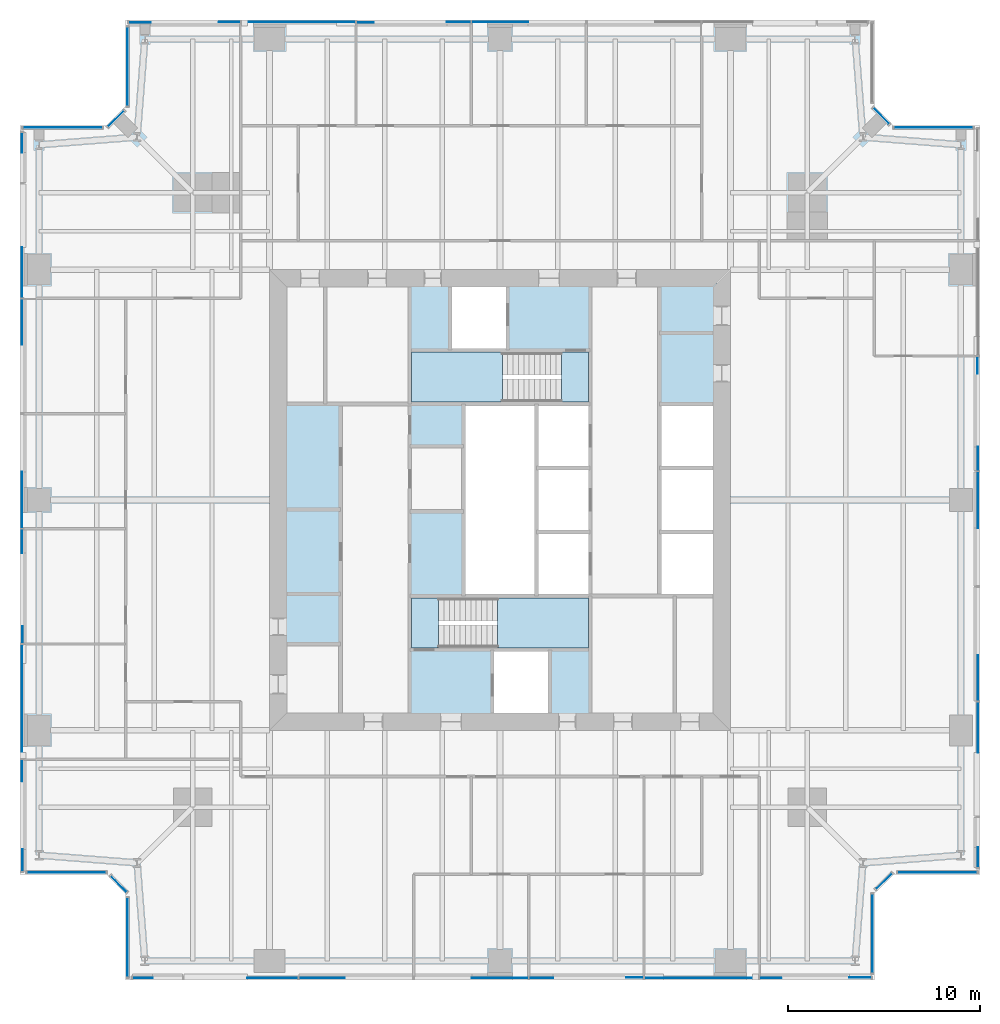
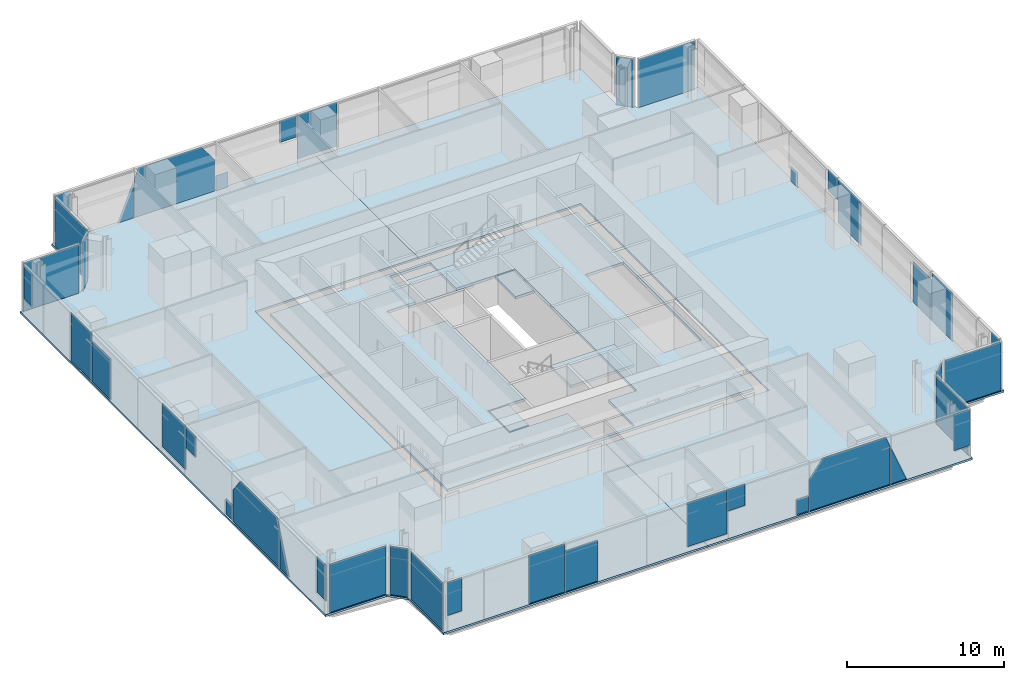
# One storey, part 8 of 14: 41 plates, 7 slabs, 17 elements without a shape of their own.
"""IFC4 building model written with IfcOpenShell, lengths in metres."""

import ifcopenshell
import ifcopenshell.guid

model = None  # the IFC model being written
_history = None  # IfcOwnerHistory: only IFC2X3 demands one
_inside = {}  # id of a spatial element -> (the spatial element, [elements in it])
_under = {}  # id of a project, library or spatial element -> (it, [spatial elements below it])
_declared = {}  # id of a project -> (the project, [libraries it declares])
_typed = {}  # id of a type object -> (the type object, [elements of that type])
_made_of = {}  # id of a material, layer set ... -> (it, [elements and type objects made of it])


def new_model(schema):
    """Start an empty IFC model of exactly this schema.

    Asked for "IFC4X3", IfcOpenShell would pick the latest addendum, in which some entities
    have other attributes; the version numbers below select the first issue.
    IFC2X3 requires an IfcOwnerHistory on every rooted entity: one is made here for all.
    """
    global model, _history
    if schema == "IFC4X3":
        model = ifcopenshell.file(schema_version=(4, 3, 0, 0))
    else:
        model = ifcopenshell.file(schema=schema)
    _inside.clear()
    _under.clear()
    _declared.clear()
    _typed.clear()
    _made_of.clear()
    _history = None
    if model.schema == "IFC2X3":
        org = make("IfcOrganization", Name="unknown")
        user = make(
            "IfcPersonAndOrganization",
            ThePerson=make("IfcPerson", FamilyName="unknown"),
            TheOrganization=org,
        )
        app = make(
            "IfcApplication",
            ApplicationDeveloper=org,
            Version="unknown",
            ApplicationFullName="unknown",
            ApplicationIdentifier="unknown",
        )
        _history = make(
            "IfcOwnerHistory",
            OwningUser=user,
            OwningApplication=app,
            ChangeAction="ADDED",
            CreationDate=0,
        )
    return model


def make(cls, **values):
    """One entity of the class cls with the attributes given. An attribute that is None is left unset."""
    return model.create_entity(
        cls, **{name: value for name, value in values.items() if value is not None}
    )


def rooted(cls, **values):
    """An entity with a GlobalId (a new one), such as an element, a storey or a relation."""
    return make(cls, GlobalId=ifcopenshell.guid.new(), OwnerHistory=_history, **values)


def si_unit(unit_type, name, prefix=None):
    """IfcSIUnit, for example si_unit("LENGTHUNIT", "METRE", prefix="MILLI")."""
    return make("IfcSIUnit", UnitType=unit_type, Prefix=prefix, Name=name)


def assignment(units):
    """IfcUnitAssignment: the units of a project."""
    return None if units is None else make("IfcUnitAssignment", Units=units)


def point(xyz):
    """IfcCartesianPoint."""
    return None if xyz is None else make("IfcCartesianPoint", Coordinates=xyz)


def direction(xyz):
    """IfcDirection."""
    return None if xyz is None else make("IfcDirection", DirectionRatios=xyz)


def frame(location, z_axis=None, x_axis=None):
    """IfcAxis2Placement3D, a coordinate frame: its origin and axes. An axis left out is left unset."""
    return make(
        "IfcAxis2Placement3D",
        Location=point(location),
        Axis=direction(z_axis),
        RefDirection=direction(x_axis),
    )


def frame_2d(location, x_axis=None):
    """IfcAxis2Placement2D, a coordinate frame in the plane: its origin and x axis."""
    return make(
        "IfcAxis2Placement2D", Location=point(location), RefDirection=direction(x_axis)
    )


def origin():
    """The frame at (0, 0, 0) with its axes left unset."""
    return frame((0.0, 0.0, 0.0))


def origin_2d():
    """The frame at (0, 0) in the plane with its x axis left unset."""
    return frame_2d((0.0, 0.0))


def place(relative_to, where):
    """IfcLocalPlacement: puts the frame where relative to a parent placement (None: the world)."""
    return make(
        "IfcLocalPlacement", PlacementRelTo=relative_to, RelativePlacement=where
    )


def context(
    kind, dimensions, precision=None, world=None, true_north=None, identifier=None
):
    """IfcGeometricRepresentationContext, for example the 3D "Model" context."""
    return make(
        "IfcGeometricRepresentationContext",
        ContextIdentifier=identifier,
        ContextType=kind,
        CoordinateSpaceDimension=dimensions,
        Precision=precision,
        WorldCoordinateSystem=world,
        TrueNorth=true_north,
    )


def subcontext(parent, identifier, kind, view, scale=None):
    """IfcGeometricRepresentationSubContext, for example "Body" below "Model"."""
    return make(
        "IfcGeometricRepresentationSubContext",
        ContextIdentifier=identifier,
        ContextType=kind,
        ParentContext=parent,
        TargetScale=scale,
        TargetView=view,
    )


def project(units=None, contexts=None):
    """IfcProject with its units and contexts."""
    return rooted(
        "IfcProject",
        Name="project",
        RepresentationContexts=contexts,
        UnitsInContext=assignment(units),
    )


def spatial(cls, under=None, at=None, **own):
    """A site, building, storey or space (cls), placed at a placement, below another one or the project."""
    s = rooted(cls, ObjectPlacement=at, **own)
    if under is not None:
        _under.setdefault(under.id(), (under, []))[1].append(s)
    return s


def polyline(points):
    """IfcPolyline through the points."""
    return make("IfcPolyline", Points=[point(p) for p in points])


def profile(cls, at=None, kind="AREA", **sizes):
    """A parametric profile (cls). Its sizes go by their IFC names, for example OverallWidth=200.0."""
    return make(cls, ProfileType=kind, Position=at, **sizes)


def rectangle(**sizes):
    """IfcRectangleProfileDef."""
    return profile("IfcRectangleProfileDef", **sizes)


def outline(outer, holes=None, kind="AREA"):
    """IfcArbitraryClosedProfileDef: a profile drawn as a closed curve; with holes, ...WithVoids."""
    if holes is None:
        return make("IfcArbitraryClosedProfileDef", ProfileType=kind, OuterCurve=outer)
    return make(
        "IfcArbitraryProfileDefWithVoids",
        ProfileType=kind,
        OuterCurve=outer,
        InnerCurves=holes,
    )


def extrude(swept, where, along, depth):
    """IfcExtrudedAreaSolid: the profile swept, set in the frame where, extruded along a direction by depth."""
    return make(
        "IfcExtrudedAreaSolid",
        SweptArea=swept,
        Position=where,
        ExtrudedDirection=direction(along),
        Depth=depth,
    )


def shape(context_of_items, identifier, shape_type, items):
    """IfcShapeRepresentation: the items that make up one representation, for example the "Body"."""
    return make(
        "IfcShapeRepresentation",
        ContextOfItems=context_of_items,
        RepresentationIdentifier=identifier,
        RepresentationType=shape_type,
        Items=items,
    )


def material(Name=None, Category=None):
    """IfcMaterial."""
    return make("IfcMaterial", Name=Name, Category=Category)


def layer(
    of_material, thickness, ventilated=None, Name=None, Category=None, Priority=None
):
    """IfcMaterialLayer: one layer of a wall or slab, of a material (None: an air gap)."""
    return make(
        "IfcMaterialLayer",
        Material=of_material,
        LayerThickness=thickness,
        IsVentilated=ventilated,
        Name=Name,
        Category=Category,
        Priority=Priority,
    )


def layer_set(layers, Name=None):
    """IfcMaterialLayerSet."""
    return make("IfcMaterialLayerSet", MaterialLayers=layers, LayerSetName=Name)


def made_of(thing, what):
    """Note that an element or type object is made of a material, layer set ...; save() writes the relation."""
    if what is not None:
        _made_of.setdefault(what.id(), (what, []))[1].append(thing)
    return thing


def type_object(cls, material=None, **own):
    """A type object (cls), such as IfcWallType, which elements share."""
    return made_of(rooted(cls, **own), material)


def element(
    cls,
    number,
    at=None,
    inside=None,
    cuts=None,
    type_object=None,
    material=None,
    context=None,
    identifier="Body",
    shape_type=None,
    held_by="IfcProductDefinitionShape",
    body=None,
    shapes=None,
    **own,
):
    """One element of the class cls, such as IfcWall. Its Tag is "e" and its number.

    at: its placement. inside: the storey or other place that contains it. cuts: it is an
    opening in that element (IfcRelVoidsElement). A single representation is given by context,
    identifier, shape_type and body (its items); several are given by shapes. held_by: the class
    of the entity that holds the representations. save() writes the other relations.
    """
    e = rooted(cls, Tag="e%d" % number, ObjectPlacement=at, **own)
    if body is not None:
        shapes = [shape(context, identifier, shape_type, body)]
    if shapes is not None:
        e.Representation = make(held_by, Representations=shapes)
    if inside is not None:
        _inside.setdefault(inside.id(), (inside, []))[1].append(e)
    if cuts is not None:
        rooted(
            "IfcRelVoidsElement", RelatingBuildingElement=cuts, RelatedOpeningElement=e
        )
    if type_object is not None:
        _typed.setdefault(type_object.id(), (type_object, []))[1].append(e)
    return made_of(e, material)


def aggregate(whole, parts):
    """IfcRelAggregates: a whole, such as a stair, and the parts it consists of."""
    return rooted("IfcRelAggregates", RelatingObject=whole, RelatedObjects=parts)


def save(model, path):
    """Write the relations noted so far, then the file.

    IfcRelAggregates (storeys below a building ...), IfcRelContainedInSpatialStructure (elements
    in a storey), IfcRelDefinesByType, IfcRelAssociatesMaterial and IfcRelDeclares: one each for
    every whole, place, type object, material and project.
    """
    for whole, parts in _under.values():
        aggregate(whole, parts)
    for where, things in _inside.values():
        rooted(
            "IfcRelContainedInSpatialStructure",
            RelatedElements=things,
            RelatingStructure=where,
        )
    for kind, things in _typed.values():
        rooted("IfcRelDefinesByType", RelatedObjects=things, RelatingType=kind)
    for what, things in _made_of.values():
        rooted("IfcRelAssociatesMaterial", RelatedObjects=things, RelatingMaterial=what)
    for by, libraries in _declared.values():
        rooted("IfcRelDeclares", RelatingContext=by, RelatedDefinitions=libraries)
    model.write(path)


model = new_model("IFC4")

# Units and contexts
model_context = context("Model", 3, precision=1e-05, world=origin(), true_north=direction((0.0, 1.0)))
body_context = subcontext(model_context, "Body", "Model", "MODEL_VIEW")
ifc_project = project(units=[si_unit("LENGTHUNIT", "METRE"), si_unit("AREAUNIT", "SQUARE_METRE"), si_unit("VOLUMEUNIT", "CUBIC_METRE"), si_unit("PLANEANGLEUNIT", "RADIAN"), si_unit("MASSUNIT", "GRAM", prefix="KILO")], contexts=[model_context])

# Site, building, storey
site_placement = place(None, origin())
site = spatial("IfcSite", under=ifc_project, at=site_placement, CompositionType="ELEMENT")
building_placement = place(site_placement, origin())
building = spatial("IfcBuilding", under=site, at=building_placement, Name="Fenwick Lantern Interchange", CompositionType="ELEMENT")
storey_placement = place(building_placement, frame((0.0, 0.0, 189.800048828125)))
storey = spatial("IfcBuildingStorey", under=building, at=storey_placement, Name="L44", CompositionType="ELEMENT", Elevation=189.800048828125)

# Slabs
ifc_material_1 = material(Name="Concrete f'c 35 MPa", Category="concrete")
ifc_layer_1 = layer(ifc_material_1, 0.199951171875)
ifc_layer_set_1 = layer_set([ifc_layer_1], Name="CORE FLOOR SLAB 200")
slab_type_1 = type_object("IfcSlabType", Name="CORE FLOOR SLAB 200", PredefinedType="FLOOR", material=ifc_layer_set_1)
slab_1_placement = place(storey_placement, frame((0.0, 0.0, -0.199951171875)))
element("IfcSlab", 1, at=slab_1_placement, inside=storey, type_object=slab_type_1, Name="L44/SLAB/CORE", PredefinedType="FLOOR", context=body_context, shape_type="SweptSolid", body=[
    extrude(outline(polyline([(13.699951171875, 36.300048828125), (36.300048828125, 36.300048828125), (36.300048828125, 13.699951171875), (13.699951171875, 13.699951171875), (13.699951171875, 36.300048828125)]), holes=[polyline([(24.60009765625, 13.89990234375), (27.60009765625, 13.89990234375), (27.60009765625, 17.199951171875), (29.699951171875, 17.199951171875), (29.699951171875, 20.0), (29.699951171875, 23.333251953125), (29.699951171875, 26.666748046875), (29.699951171875, 30.0), (29.699951171875, 32.800048828125), (25.39990234375, 32.800048828125), (25.39990234375, 36.10009765625), (22.39990234375, 36.10009765625), (22.39990234375, 32.800048828125), (20.300048828125, 32.800048828125), (20.300048828125, 30.0), (23.10009765625, 30.0), (23.10009765625, 20.0), (20.300048828125, 20.0), (20.300048828125, 17.199951171875), (24.60009765625, 17.199951171875), (24.60009765625, 13.89990234375)]), polyline([(33.300048828125, 23.333251953125), (33.300048828125, 20.0), (36.10009765625, 20.0), (36.10009765625, 23.333251953125), (36.10009765625, 26.666748046875), (36.10009765625, 30.0), (33.300048828125, 30.0), (33.300048828125, 26.666748046875), (33.300048828125, 23.333251953125)])]), origin(), (0.0, 0.0, 1.0), 0.199951171875),
])
ifc_material_2 = material(Name="Concrete f'c 35 MPa", Category="concrete")
ifc_layer_2 = layer(ifc_material_2, 0.14990234375)
ifc_layer_set_2 = layer_set([ifc_layer_2], Name="Concrete f'c 35 MPa")
slab_type_2 = type_object("IfcSlabType", Name="FLOOR SLAB 150", PredefinedType="FLOOR", material=ifc_layer_set_2)
slab_2_placement = place(storey_placement, frame((0.0, 0.0, -0.150146484375)))
element("IfcSlab", 2, at=slab_2_placement, inside=storey, type_object=slab_type_2, Name="L44/SLAB/FW", PredefinedType="FLOOR", context=body_context, shape_type="SweptSolid", body=[
    extrude(outline(polyline([(5.5, 0.0), (5.5, 4.5), (4.5, 5.5), (0.0, 5.5), (0.0, 44.5), (4.5, 44.5), (5.5, 45.5), (5.5, 50.0), (25.0, 50.0), (25.0, 37.0), (13.0, 37.0), (13.0, 13.0), (25.0, 13.0), (25.0, 0.0), (5.5, 0.0)])), origin(), (0.0, 0.0, 1.0), 0.150146484375),
])
slab_3_placement = place(storey_placement, frame((0.0, 0.0, -0.150146484375)))
element("IfcSlab", 3, at=slab_3_placement, inside=storey, type_object=slab_type_2, Name="L44/SLAB/FE", PredefinedType="FLOOR", context=body_context, shape_type="SweptSolid", body=[
    extrude(outline(polyline([(44.5, 50.0), (44.5, 45.5), (45.5, 44.5), (50.0, 44.5), (50.0, 5.5), (45.5, 5.5), (44.5, 4.5), (44.5, 0.0), (25.0, 0.0), (25.0, 13.0), (37.0, 13.0), (37.0, 37.0), (25.0, 37.0), (25.0, 50.0), (44.5, 50.0)])), origin(), (0.0, 0.0, 1.0), 0.150146484375),
])

# Curtain wall, plates
ifc_material_3 = material(Name="Aluminium curtain wall frame", Category="aluminium")
curtain_wall_type = type_object("IfcCurtainWallType", Name="OFFICE CURTAIN WALL", PredefinedType="USERDEFINED", material=ifc_material_3)
curtain_wall_1_placement = place(storey_placement, origin())
curtain_wall_1 = element("IfcCurtainWall", 4, at=curtain_wall_1_placement, inside=storey, type_object=curtain_wall_type, Name="Office curtain wall 01", ObjectType="OFFICE CURTAIN WALL", PredefinedType="USERDEFINED")
ifc_material_4 = material(Name="Vision glass, clear low-iron double glazed", Category="glass")
ifc_layer_3 = layer(ifc_material_4, 0.031982421875)
ifc_layer_set_3 = layer_set([ifc_layer_3], Name="OFFICE CURTAIN WALL PANEL 32")
plate_type = type_object("IfcPlateType", Name="OFFICE CURTAIN WALL PANEL 32", PredefinedType="CURTAIN_PANEL", material=ifc_layer_set_3)
plate_1_placement = place(storey_placement, frame((5.60009765625, 0.10009765625, 1.185546875), z_axis=(0.0, 0.0, 1.0), x_axis=(1.0, 0.0, 0.0)))
plate_1 = element("IfcPlate", 5, at=plate_1_placement, type_object=plate_type, Name="L44/CW/01/P00a", PredefinedType="CURTAIN_PANEL", context=body_context, shape_type="SweptSolid", body=[
    extrude(outline(polyline([(0.264892578125, 0.0), (1.31005859375, 0.0), (1.31005859375, 2.564453125), (0.264892578125, 2.564453125), (0.264892578125, 0.0)])), frame((0.0, 0.01611328125, 0.0), z_axis=(0.0, -1.0, 0.0), x_axis=(1.0, 0.0, 0.0)), (0.0, 0.0, 1.0), 0.031982421875),
])
plate_2_placement = place(storey_placement, frame((5.60009765625, 0.10009765625, 0.0), z_axis=(0.0, 0.0, 1.0), x_axis=(1.0, 0.0, 0.0)))
plate_2 = element("IfcPlate", 6, at=plate_2_placement, type_object=plate_type, Name="L44/CW/01/P01a", PredefinedType="CURTAIN_PANEL", context=body_context, shape_type="SweptSolid", body=[
    extrude(outline(polyline([(6.239013671875, 0.0), (8.867431640625, 0.0), (8.867431640625, 3.75), (6.239013671875, 3.75), (6.239013671875, 0.0)])), frame((0.0, 0.01611328125, 0.0), z_axis=(0.0, -1.0, 0.0), x_axis=(1.0, 0.0, 0.0)), (0.0, 0.0, 1.0), 0.031982421875),
])
plate_3_placement = place(storey_placement, frame((5.60009765625, 0.10009765625, 0.0), z_axis=(0.0, 0.0, 1.0), x_axis=(1.0, 0.0, 0.0)))
plate_3 = element("IfcPlate", 7, at=plate_3_placement, type_object=plate_type, Name="L44/CW/01/P02a", PredefinedType="CURTAIN_PANEL", context=body_context, shape_type="SweptSolid", body=[
    extrude(outline(polyline([(8.9326171875, 0.0), (11.3125, 0.0), (11.3125, 3.17724609375), (8.9326171875, 3.17724609375), (8.9326171875, 0.0)])), frame((0.0, 0.01611328125, 0.0), z_axis=(0.0, -1.0, 0.0), x_axis=(1.0, 0.0, 0.0)), (0.0, 0.0, 1.0), 0.031982421875),
])
plate_4_placement = place(storey_placement, frame((5.60009765625, 0.10009765625, 0.3505859375), z_axis=(0.0, 0.0, 1.0), x_axis=(1.0, 0.0, 0.0)))
plate_4 = element("IfcPlate", 8, at=plate_4_placement, type_object=plate_type, Name="L44/CW/01/P03a", PredefinedType="CURTAIN_PANEL", context=body_context, shape_type="SweptSolid", body=[
    extrude(outline(polyline([(17.93310546875, 0.0), (20.867431640625, 0.0), (20.867431640625, 3.3994140625), (17.93310546875, 3.3994140625), (17.93310546875, 0.0)])), frame((0.0, 0.01611328125, 0.0), z_axis=(0.0, -1.0, 0.0), x_axis=(1.0, 0.0, 0.0)), (0.0, 0.0, 1.0), 0.031982421875),
])
plate_5_placement = place(storey_placement, frame((5.60009765625, 0.10009765625, 2.090576171875), z_axis=(0.0, 0.0, 1.0), x_axis=(1.0, 0.0, 0.0)))
plate_5 = element("IfcPlate", 9, at=plate_5_placement, type_object=plate_type, Name="L44/CW/01/P04a", PredefinedType="CURTAIN_PANEL", context=body_context, shape_type="SweptSolid", body=[
    extrude(outline(polyline([(20.9326171875, 0.0), (22.172607421875, 0.0), (22.172607421875, 1.659423828125), (20.9326171875, 1.659423828125), (20.9326171875, 0.0)])), frame((0.0, 0.01611328125, 0.0), z_axis=(0.0, -1.0, 0.0), x_axis=(1.0, 0.0, 0.0)), (0.0, 0.0, 1.0), 0.031982421875),
])
plate_6_placement = place(storey_placement, frame((5.60009765625, 0.10009765625, 0.0), z_axis=(0.0, 0.0, 1.0), x_axis=(1.0, 0.0, 0.0)))
plate_6 = element("IfcPlate", 10, at=plate_6_placement, type_object=plate_type, Name="L44/CW/01/P04b", PredefinedType="CURTAIN_PANEL", context=body_context, shape_type="SweptSolid", body=[
    extrude(outline(polyline([(25.984619140625, 0.0), (26.867431640625, 0.0), (26.867431640625, 1.17333984375), (25.984619140625, 1.17333984375), (25.984619140625, 0.0)])), frame((0.0, 0.0498046875, 0.0), z_axis=(0.0, -1.0, 0.0), x_axis=(1.0, 0.0, 0.0)), (0.0, 0.0, 1.0), 0.031982421875),
])
plate_7_placement = place(storey_placement, frame((5.60009765625, 0.10009765625, 0.0), z_axis=(0.0, 0.0, 1.0), x_axis=(1.0, 0.0, 0.0)))
plate_7 = element("IfcPlate", 11, at=plate_7_placement, type_object=plate_type, Name="L44/CW/01/P05a", PredefinedType="CURTAIN_PANEL", context=body_context, shape_type="SweptSolid", body=[
    extrude(outline(polyline([(26.9326171875, 0.0), (32.867431640625, 0.0), (32.867431640625, 2.999267578125), (32.5625, 3.75), (27.9169921875, 3.75), (26.9326171875, 2.437255859375), (26.9326171875, 0.0)])), frame((0.0, 0.01611328125, 0.0), z_axis=(0.0, -1.0, 0.0), x_axis=(1.0, 0.0, 0.0)), (0.0, 0.0, 1.0), 0.031982421875),
])
plate_8_placement = place(storey_placement, frame((5.60009765625, 0.10009765625, 0.0), z_axis=(0.0, 0.0, 1.0), x_axis=(1.0, 0.0, 0.0)))
plate_8 = element("IfcPlate", 12, at=plate_8_placement, type_object=plate_type, Name="L44/CW/01/P06a", PredefinedType="CURTAIN_PANEL", context=body_context, shape_type="SweptSolid", body=[
    extrude(outline(polyline([(32.9326171875, 0.0), (34.0859375, 0.0), (32.9326171875, 2.839111328125), (32.9326171875, 0.0)])), frame((0.0, 0.01611328125, 0.0), z_axis=(0.0, -1.0, 0.0), x_axis=(1.0, 0.0, 0.0)), (0.0, 0.0, 1.0), 0.031982421875),
])
plate_9_placement = place(storey_placement, frame((5.60009765625, 0.10009765625, 0.931396484375), z_axis=(0.0, 0.0, 1.0), x_axis=(1.0, 0.0, 0.0)))
plate_9 = element("IfcPlate", 13, at=plate_9_placement, type_object=plate_type, Name="L44/CW/01/P06b", PredefinedType="CURTAIN_PANEL", context=body_context, shape_type="SweptSolid", body=[
    extrude(outline(polyline([(37.59326171875, 0.0), (38.735107421875, 0.0), (38.735107421875, 2.818603515625), (37.59326171875, 2.818603515625), (37.59326171875, 0.0)])), frame((0.0, 0.0498046875, 0.0), z_axis=(0.0, -1.0, 0.0), x_axis=(1.0, 0.0, 0.0)), (0.0, 0.0, 1.0), 0.031982421875),
])
aggregate(curtain_wall_1, [plate_1, plate_2, plate_3, plate_4, plate_5, plate_6, plate_7, plate_8, plate_9])

# Curtain wall, plate
curtain_wall_2_placement = place(storey_placement, origin())
curtain_wall_2 = element("IfcCurtainWall", 14, at=curtain_wall_2_placement, inside=storey, type_object=curtain_wall_type, Name="Office curtain wall 02", ObjectType="OFFICE CURTAIN WALL", PredefinedType="USERDEFINED")
plate_10_placement = place(storey_placement, frame((44.39990234375, 2.420654296875, 0.0), z_axis=(0.0, 0.0, 1.0), x_axis=(0.0, 1.0, 0.0)))
plate_10 = element("IfcPlate", 15, at=plate_10_placement, type_object=plate_type, Name="L44/CW/02/P00", PredefinedType="CURTAIN_PANEL", context=body_context, shape_type="SweptSolid", body=[
    extrude(rectangle(XDim=4.111328125, YDim=0.031982421875, at=origin_2d()), origin(), (0.0, 0.0, 1.0), 3.75),
])
aggregate(curtain_wall_2, [plate_10])

curtain_wall_3_placement = place(storey_placement, origin())
curtain_wall_3 = element("IfcCurtainWall", 16, at=curtain_wall_3_placement, inside=storey, type_object=curtain_wall_type, Name="Office curtain wall 03", ObjectType="OFFICE CURTAIN WALL", PredefinedType="USERDEFINED")
plate_11_placement = place(storey_placement, frame((45.0, 5.141357421875, 0.0), z_axis=(0.0, 0.0, 1.0), x_axis=(0.707106781187, 0.707106781187, 0.0)))
plate_11 = element("IfcPlate", 17, at=plate_11_placement, type_object=plate_type, Name="L44/CW/03/P00", PredefinedType="CURTAIN_PANEL", context=body_context, shape_type="SweptSolid", body=[
    extrude(rectangle(XDim=1.1669921875, YDim=0.031982421875, at=origin_2d()), origin(), (0.0, 0.0, 1.0), 3.75),
])
aggregate(curtain_wall_3, [plate_11])

curtain_wall_4_placement = place(storey_placement, origin())
curtain_wall_4 = element("IfcCurtainWall", 18, at=curtain_wall_4_placement, inside=storey, type_object=curtain_wall_type, Name="Office curtain wall 04", ObjectType="OFFICE CURTAIN WALL", PredefinedType="USERDEFINED")
plate_12_placement = place(storey_placement, frame((47.779296875, 5.60009765625, 0.0), z_axis=(0.0, 0.0, 1.0), x_axis=(1.0, 0.0, 0.0)))
plate_12 = element("IfcPlate", 19, at=plate_12_placement, type_object=plate_type, Name="L44/CW/04/P00", PredefinedType="CURTAIN_PANEL", context=body_context, shape_type="SweptSolid", body=[
    extrude(rectangle(XDim=4.111328125, YDim=0.031982421875, at=origin_2d()), origin(), (0.0, 0.0, 1.0), 3.75),
])
aggregate(curtain_wall_4, [plate_12])

# Curtain wall, plates
curtain_wall_5_placement = place(storey_placement, origin())
curtain_wall_5 = element("IfcCurtainWall", 20, at=curtain_wall_5_placement, inside=storey, type_object=curtain_wall_type, Name="Office curtain wall 05", ObjectType="OFFICE CURTAIN WALL", PredefinedType="USERDEFINED")
plate_13_placement = place(storey_placement, frame((49.89990234375, 5.60009765625, 1.185546875), z_axis=(0.0, 0.0, 1.0), x_axis=(0.0, 1.0, 0.0)))
plate_13 = element("IfcPlate", 21, at=plate_13_placement, type_object=plate_type, Name="L44/CW/05/P00a", PredefinedType="CURTAIN_PANEL", context=body_context, shape_type="SweptSolid", body=[
    extrude(outline(polyline([(0.264892578125, 0.0), (1.31005859375, 0.0), (1.31005859375, 2.564453125), (0.264892578125, 2.564453125), (0.264892578125, 0.0)])), frame((0.0, 0.01611328125, 0.0), z_axis=(0.0, -1.0, 0.0), x_axis=(1.0, 0.0, 0.0)), (0.0, 0.0, 1.0), 0.031982421875),
])
plate_14_placement = place(storey_placement, frame((49.89990234375, 5.60009765625, 0.0), z_axis=(0.0, 0.0, 1.0), x_axis=(0.0, 1.0, 0.0)))
plate_14 = element("IfcPlate", 22, at=plate_14_placement, type_object=plate_type, Name="L44/CW/05/P01a", PredefinedType="CURTAIN_PANEL", context=body_context, shape_type="SweptSolid", body=[
    extrude(outline(polyline([(6.239013671875, 0.0), (8.867431640625, 0.0), (8.867431640625, 3.75), (6.239013671875, 3.75), (6.239013671875, 0.0)])), frame((0.0, 0.01611328125, 0.0), z_axis=(0.0, -1.0, 0.0), x_axis=(1.0, 0.0, 0.0)), (0.0, 0.0, 1.0), 0.031982421875),
])
plate_15_placement = place(storey_placement, frame((49.89990234375, 5.60009765625, 0.0), z_axis=(0.0, 0.0, 1.0), x_axis=(0.0, 1.0, 0.0)))
plate_15 = element("IfcPlate", 23, at=plate_15_placement, type_object=plate_type, Name="L44/CW/05/P02a", PredefinedType="CURTAIN_PANEL", context=body_context, shape_type="SweptSolid", body=[
    extrude(outline(polyline([(8.9326171875, 0.0), (11.3125, 0.0), (11.3125, 3.17724609375), (8.9326171875, 3.17724609375), (8.9326171875, 0.0)])), frame((0.0, 0.01611328125, 0.0), z_axis=(0.0, -1.0, 0.0), x_axis=(1.0, 0.0, 0.0)), (0.0, 0.0, 1.0), 0.031982421875),
])
plate_16_placement = place(storey_placement, frame((49.89990234375, 5.60009765625, 0.3505859375), z_axis=(0.0, 0.0, 1.0), x_axis=(0.0, 1.0, 0.0)))
plate_16 = element("IfcPlate", 24, at=plate_16_placement, type_object=plate_type, Name="L44/CW/05/P03a", PredefinedType="CURTAIN_PANEL", context=body_context, shape_type="SweptSolid", body=[
    extrude(outline(polyline([(17.93310546875, 0.0), (20.867431640625, 0.0), (20.867431640625, 3.3994140625), (17.93310546875, 3.3994140625), (17.93310546875, 0.0)])), frame((0.0, 0.01611328125, 0.0), z_axis=(0.0, -1.0, 0.0), x_axis=(1.0, 0.0, 0.0)), (0.0, 0.0, 1.0), 0.031982421875),
])
plate_17_placement = place(storey_placement, frame((49.89990234375, 5.60009765625, 2.090576171875), z_axis=(0.0, 0.0, 1.0), x_axis=(0.0, 1.0, 0.0)))
plate_17 = element("IfcPlate", 25, at=plate_17_placement, type_object=plate_type, Name="L44/CW/05/P04a", PredefinedType="CURTAIN_PANEL", context=body_context, shape_type="SweptSolid", body=[
    extrude(outline(polyline([(20.9326171875, 0.0), (22.172607421875, 0.0), (22.172607421875, 1.659423828125), (20.9326171875, 1.659423828125), (20.9326171875, 0.0)])), frame((0.0, 0.01611328125, 0.0), z_axis=(0.0, -1.0, 0.0), x_axis=(1.0, 0.0, 0.0)), (0.0, 0.0, 1.0), 0.031982421875),
])
plate_18_placement = place(storey_placement, frame((49.89990234375, 5.60009765625, 0.0), z_axis=(0.0, 0.0, 1.0), x_axis=(0.0, 1.0, 0.0)))
plate_18 = element("IfcPlate", 26, at=plate_18_placement, type_object=plate_type, Name="L44/CW/05/P04b", PredefinedType="CURTAIN_PANEL", context=body_context, shape_type="SweptSolid", body=[
    extrude(outline(polyline([(25.984619140625, 0.0), (26.867431640625, 0.0), (26.867431640625, 1.17333984375), (25.984619140625, 1.17333984375), (25.984619140625, 0.0)])), frame((0.0, 0.0498046875, 0.0), z_axis=(0.0, -1.0, 0.0), x_axis=(1.0, 0.0, 0.0)), (0.0, 0.0, 1.0), 0.031982421875),
])
aggregate(curtain_wall_5, [plate_13, plate_14, plate_15, plate_16, plate_17, plate_18])

# Curtain wall, plate
curtain_wall_6_placement = place(storey_placement, origin())
curtain_wall_6 = element("IfcCurtainWall", 27, at=curtain_wall_6_placement, inside=storey, type_object=curtain_wall_type, Name="Office curtain wall 06", ObjectType="OFFICE CURTAIN WALL", PredefinedType="USERDEFINED")
plate_19_placement = place(storey_placement, frame((47.579345703125, 44.39990234375, 0.0), z_axis=(0.0, 0.0, 1.0), x_axis=(-1.0, 0.0, 0.0)))
plate_19 = element("IfcPlate", 28, at=plate_19_placement, type_object=plate_type, Name="L44/CW/06/P00", PredefinedType="CURTAIN_PANEL", context=body_context, shape_type="SweptSolid", body=[
    extrude(rectangle(XDim=4.111328125, YDim=0.031982421875, at=origin_2d()), origin(), (0.0, 0.0, 1.0), 3.75),
])
aggregate(curtain_wall_6, [plate_19])

curtain_wall_7_placement = place(storey_placement, origin())
curtain_wall_7 = element("IfcCurtainWall", 29, at=curtain_wall_7_placement, inside=storey, type_object=curtain_wall_type, Name="Office curtain wall 07", ObjectType="OFFICE CURTAIN WALL", PredefinedType="USERDEFINED")
plate_20_placement = place(storey_placement, frame((44.858642578125, 45.0, 0.0), z_axis=(0.0, 0.0, 1.0), x_axis=(-0.707106781187, 0.707106781187, 0.0)))
plate_20 = element("IfcPlate", 30, at=plate_20_placement, type_object=plate_type, Name="L44/CW/07/P00", PredefinedType="CURTAIN_PANEL", context=body_context, shape_type="SweptSolid", body=[
    extrude(rectangle(XDim=1.1669921875, YDim=0.031982421875, at=origin_2d()), origin(), (0.0, 0.0, 1.0), 3.75),
])
aggregate(curtain_wall_7, [plate_20])

# Curtain wall, plates
curtain_wall_8_placement = place(storey_placement, origin())
curtain_wall_8 = element("IfcCurtainWall", 31, at=curtain_wall_8_placement, inside=storey, type_object=curtain_wall_type, Name="Office curtain wall 09", ObjectType="OFFICE CURTAIN WALL", PredefinedType="USERDEFINED")
plate_21_placement = place(storey_placement, frame((44.39990234375, 49.89990234375, 0.3505859375), z_axis=(0.0, 0.0, 1.0), x_axis=(-1.0, 0.0, 0.0)))
plate_21 = element("IfcPlate", 32, at=plate_21_placement, type_object=plate_type, Name="L44/CW/09/P03a", PredefinedType="CURTAIN_PANEL", context=body_context, shape_type="SweptSolid", body=[
    extrude(outline(polyline([(17.93310546875, 0.0), (20.867431640625, 0.0), (20.867431640625, 3.3994140625), (17.93310546875, 3.3994140625), (17.93310546875, 0.0)])), frame((0.0, 0.01611328125, 0.0), z_axis=(0.0, -1.0, 0.0), x_axis=(1.0, 0.0, 0.0)), (0.0, 0.0, 1.0), 0.031982421875),
])
plate_22_placement = place(storey_placement, frame((44.39990234375, 49.89990234375, 2.090576171875), z_axis=(0.0, 0.0, 1.0), x_axis=(-1.0, 0.0, 0.0)))
plate_22 = element("IfcPlate", 33, at=plate_22_placement, type_object=plate_type, Name="L44/CW/09/P04a", PredefinedType="CURTAIN_PANEL", context=body_context, shape_type="SweptSolid", body=[
    extrude(outline(polyline([(20.9326171875, 0.0), (22.172607421875, 0.0), (22.172607421875, 1.659423828125), (20.9326171875, 1.659423828125), (20.9326171875, 0.0)])), frame((0.0, 0.01611328125, 0.0), z_axis=(0.0, -1.0, 0.0), x_axis=(1.0, 0.0, 0.0)), (0.0, 0.0, 1.0), 0.031982421875),
])
plate_23_placement = place(storey_placement, frame((44.39990234375, 49.89990234375, 0.0), z_axis=(0.0, 0.0, 1.0), x_axis=(-1.0, 0.0, 0.0)))
plate_23 = element("IfcPlate", 34, at=plate_23_placement, type_object=plate_type, Name="L44/CW/09/P04b", PredefinedType="CURTAIN_PANEL", context=body_context, shape_type="SweptSolid", body=[
    extrude(outline(polyline([(25.984619140625, 0.0), (26.867431640625, 0.0), (26.867431640625, 1.17333984375), (25.984619140625, 1.17333984375), (25.984619140625, 0.0)])), frame((0.0, 0.0498046875, 0.0), z_axis=(0.0, -1.0, 0.0), x_axis=(1.0, 0.0, 0.0)), (0.0, 0.0, 1.0), 0.031982421875),
])
plate_24_placement = place(storey_placement, frame((44.39990234375, 49.89990234375, 0.0), z_axis=(0.0, 0.0, 1.0), x_axis=(-1.0, 0.0, 0.0)))
plate_24 = element("IfcPlate", 35, at=plate_24_placement, type_object=plate_type, Name="L44/CW/09/P05a", PredefinedType="CURTAIN_PANEL", context=body_context, shape_type="SweptSolid", body=[
    extrude(outline(polyline([(26.9326171875, 0.0), (32.867431640625, 0.0), (32.867431640625, 2.999267578125), (32.5625, 3.75), (27.9169921875, 3.75), (26.9326171875, 2.437255859375), (26.9326171875, 0.0)])), frame((0.0, 0.01611328125, 0.0), z_axis=(0.0, -1.0, 0.0), x_axis=(1.0, 0.0, 0.0)), (0.0, 0.0, 1.0), 0.031982421875),
])
plate_25_placement = place(storey_placement, frame((44.39990234375, 49.89990234375, 0.0), z_axis=(0.0, 0.0, 1.0), x_axis=(-1.0, 0.0, 0.0)))
plate_25 = element("IfcPlate", 36, at=plate_25_placement, type_object=plate_type, Name="L44/CW/09/P06a", PredefinedType="CURTAIN_PANEL", context=body_context, shape_type="SweptSolid", body=[
    extrude(outline(polyline([(32.9326171875, 0.0), (34.0859375, 0.0), (32.9326171875, 2.839111328125), (32.9326171875, 0.0)])), frame((0.0, 0.01611328125, 0.0), z_axis=(0.0, -1.0, 0.0), x_axis=(1.0, 0.0, 0.0)), (0.0, 0.0, 1.0), 0.031982421875),
])
plate_26_placement = place(storey_placement, frame((44.39990234375, 49.89990234375, 0.931396484375), z_axis=(0.0, 0.0, 1.0), x_axis=(-1.0, 0.0, 0.0)))
plate_26 = element("IfcPlate", 37, at=plate_26_placement, type_object=plate_type, Name="L44/CW/09/P06b", PredefinedType="CURTAIN_PANEL", context=body_context, shape_type="SweptSolid", body=[
    extrude(outline(polyline([(37.59326171875, 0.0), (38.735107421875, 0.0), (38.735107421875, 2.818603515625), (37.59326171875, 2.818603515625), (37.59326171875, 0.0)])), frame((0.0, 0.0498046875, 0.0), z_axis=(0.0, -1.0, 0.0), x_axis=(1.0, 0.0, 0.0)), (0.0, 0.0, 1.0), 0.031982421875),
])
aggregate(curtain_wall_8, [plate_21, plate_22, plate_23, plate_24, plate_25, plate_26])

# Curtain wall, plate
curtain_wall_9_placement = place(storey_placement, origin())
curtain_wall_9 = element("IfcCurtainWall", 38, at=curtain_wall_9_placement, inside=storey, type_object=curtain_wall_type, Name="Office curtain wall 10", ObjectType="OFFICE CURTAIN WALL", PredefinedType="USERDEFINED")
plate_27_placement = place(storey_placement, frame((5.60009765625, 47.579345703125, 0.0), z_axis=(0.0, 0.0, 1.0), x_axis=(0.0, -1.0, 0.0)))
plate_27 = element("IfcPlate", 39, at=plate_27_placement, type_object=plate_type, Name="L44/CW/10/P00", PredefinedType="CURTAIN_PANEL", context=body_context, shape_type="SweptSolid", body=[
    extrude(rectangle(XDim=4.111328125, YDim=0.031982421875, at=origin_2d()), origin(), (0.0, 0.0, 1.0), 3.75),
])
aggregate(curtain_wall_9, [plate_27])

curtain_wall_10_placement = place(storey_placement, origin())
curtain_wall_10 = element("IfcCurtainWall", 40, at=curtain_wall_10_placement, inside=storey, type_object=curtain_wall_type, Name="Office curtain wall 11", ObjectType="OFFICE CURTAIN WALL", PredefinedType="USERDEFINED")
plate_28_placement = place(storey_placement, frame((5.0, 44.858642578125, 0.0), z_axis=(0.0, 0.0, 1.0), x_axis=(-0.707106781187, -0.707106781187, 0.0)))
plate_28 = element("IfcPlate", 41, at=plate_28_placement, type_object=plate_type, Name="L44/CW/11/P00", PredefinedType="CURTAIN_PANEL", context=body_context, shape_type="SweptSolid", body=[
    extrude(rectangle(XDim=1.1669921875, YDim=0.031982421875, at=origin_2d()), origin(), (0.0, 0.0, 1.0), 3.75),
])
aggregate(curtain_wall_10, [plate_28])

curtain_wall_11_placement = place(storey_placement, origin())
curtain_wall_11 = element("IfcCurtainWall", 42, at=curtain_wall_11_placement, inside=storey, type_object=curtain_wall_type, Name="Office curtain wall 12", ObjectType="OFFICE CURTAIN WALL", PredefinedType="USERDEFINED")
plate_29_placement = place(storey_placement, frame((2.220703125, 44.39990234375, 0.0), z_axis=(0.0, 0.0, 1.0), x_axis=(-1.0, 0.0, 0.0)))
plate_29 = element("IfcPlate", 43, at=plate_29_placement, type_object=plate_type, Name="L44/CW/12/P00", PredefinedType="CURTAIN_PANEL", context=body_context, shape_type="SweptSolid", body=[
    extrude(rectangle(XDim=4.111328125, YDim=0.031982421875, at=origin_2d()), origin(), (0.0, 0.0, 1.0), 3.75),
])
aggregate(curtain_wall_11, [plate_29])

# Curtain wall, plates
curtain_wall_12_placement = place(storey_placement, origin())
curtain_wall_12 = element("IfcCurtainWall", 44, at=curtain_wall_12_placement, inside=storey, type_object=curtain_wall_type, Name="Office curtain wall 13", ObjectType="OFFICE CURTAIN WALL", PredefinedType="USERDEFINED")
plate_30_placement = place(storey_placement, frame((0.10009765625, 44.39990234375, 1.185546875), z_axis=(0.0, 0.0, 1.0), x_axis=(0.0, -1.0, 0.0)))
plate_30 = element("IfcPlate", 45, at=plate_30_placement, type_object=plate_type, Name="L44/CW/13/P00a", PredefinedType="CURTAIN_PANEL", context=body_context, shape_type="SweptSolid", body=[
    extrude(outline(polyline([(0.264892578125, 0.0), (1.31005859375, 0.0), (1.31005859375, 2.564453125), (0.264892578125, 2.564453125), (0.264892578125, 0.0)])), frame((0.0, 0.01611328125, 0.0), z_axis=(0.0, -1.0, 0.0), x_axis=(1.0, 0.0, 0.0)), (0.0, 0.0, 1.0), 0.031982421875),
])
plate_31_placement = place(storey_placement, frame((0.10009765625, 44.39990234375, 0.0), z_axis=(0.0, 0.0, 1.0), x_axis=(0.0, -1.0, 0.0)))
plate_31 = element("IfcPlate", 46, at=plate_31_placement, type_object=plate_type, Name="L44/CW/13/P01a", PredefinedType="CURTAIN_PANEL", context=body_context, shape_type="SweptSolid", body=[
    extrude(outline(polyline([(6.239013671875, 0.0), (8.867431640625, 0.0), (8.867431640625, 3.75), (6.239013671875, 3.75), (6.239013671875, 0.0)])), frame((0.0, 0.01611328125, 0.0), z_axis=(0.0, -1.0, 0.0), x_axis=(1.0, 0.0, 0.0)), (0.0, 0.0, 1.0), 0.031982421875),
])
plate_32_placement = place(storey_placement, frame((0.10009765625, 44.39990234375, 0.0), z_axis=(0.0, 0.0, 1.0), x_axis=(0.0, -1.0, 0.0)))
plate_32 = element("IfcPlate", 47, at=plate_32_placement, type_object=plate_type, Name="L44/CW/13/P02a", PredefinedType="CURTAIN_PANEL", context=body_context, shape_type="SweptSolid", body=[
    extrude(outline(polyline([(8.9326171875, 0.0), (11.3125, 0.0), (11.3125, 3.17724609375), (8.9326171875, 3.17724609375), (8.9326171875, 0.0)])), frame((0.0, 0.01611328125, 0.0), z_axis=(0.0, -1.0, 0.0), x_axis=(1.0, 0.0, 0.0)), (0.0, 0.0, 1.0), 0.031982421875),
])
plate_33_placement = place(storey_placement, frame((0.10009765625, 44.39990234375, 0.3505859375), z_axis=(0.0, 0.0, 1.0), x_axis=(0.0, -1.0, 0.0)))
plate_33 = element("IfcPlate", 48, at=plate_33_placement, type_object=plate_type, Name="L44/CW/13/P03a", PredefinedType="CURTAIN_PANEL", context=body_context, shape_type="SweptSolid", body=[
    extrude(outline(polyline([(17.93310546875, 0.0), (20.867431640625, 0.0), (20.867431640625, 3.3994140625), (17.93310546875, 3.3994140625), (17.93310546875, 0.0)])), frame((0.0, 0.01611328125, 0.0), z_axis=(0.0, -1.0, 0.0), x_axis=(1.0, 0.0, 0.0)), (0.0, 0.0, 1.0), 0.031982421875),
])
plate_34_placement = place(storey_placement, frame((0.10009765625, 44.39990234375, 2.090576171875), z_axis=(0.0, 0.0, 1.0), x_axis=(0.0, -1.0, 0.0)))
plate_34 = element("IfcPlate", 49, at=plate_34_placement, type_object=plate_type, Name="L44/CW/13/P04a", PredefinedType="CURTAIN_PANEL", context=body_context, shape_type="SweptSolid", body=[
    extrude(outline(polyline([(20.9326171875, 0.0), (22.172607421875, 0.0), (22.172607421875, 1.659423828125), (20.9326171875, 1.659423828125), (20.9326171875, 0.0)])), frame((0.0, 0.01611328125, 0.0), z_axis=(0.0, -1.0, 0.0), x_axis=(1.0, 0.0, 0.0)), (0.0, 0.0, 1.0), 0.031982421875),
])
plate_35_placement = place(storey_placement, frame((0.10009765625, 44.39990234375, 0.0), z_axis=(0.0, 0.0, 1.0), x_axis=(0.0, -1.0, 0.0)))
plate_35 = element("IfcPlate", 50, at=plate_35_placement, type_object=plate_type, Name="L44/CW/13/P04b", PredefinedType="CURTAIN_PANEL", context=body_context, shape_type="SweptSolid", body=[
    extrude(outline(polyline([(25.984619140625, 0.0), (26.867431640625, 0.0), (26.867431640625, 1.17333984375), (25.984619140625, 1.17333984375), (25.984619140625, 0.0)])), frame((0.0, 0.0498046875, 0.0), z_axis=(0.0, -1.0, 0.0), x_axis=(1.0, 0.0, 0.0)), (0.0, 0.0, 1.0), 0.031982421875),
])
plate_36_placement = place(storey_placement, frame((0.10009765625, 44.39990234375, 0.0), z_axis=(0.0, 0.0, 1.0), x_axis=(0.0, -1.0, 0.0)))
plate_36 = element("IfcPlate", 51, at=plate_36_placement, type_object=plate_type, Name="L44/CW/13/P05a", PredefinedType="CURTAIN_PANEL", context=body_context, shape_type="SweptSolid", body=[
    extrude(outline(polyline([(26.9326171875, 0.0), (32.867431640625, 0.0), (32.867431640625, 2.999267578125), (32.5625, 3.75), (27.9169921875, 3.75), (26.9326171875, 2.437255859375), (26.9326171875, 0.0)])), frame((0.0, 0.01611328125, 0.0), z_axis=(0.0, -1.0, 0.0), x_axis=(1.0, 0.0, 0.0)), (0.0, 0.0, 1.0), 0.031982421875),
])
plate_37_placement = place(storey_placement, frame((0.10009765625, 44.39990234375, 0.0), z_axis=(0.0, 0.0, 1.0), x_axis=(0.0, -1.0, 0.0)))
plate_37 = element("IfcPlate", 52, at=plate_37_placement, type_object=plate_type, Name="L44/CW/13/P06a", PredefinedType="CURTAIN_PANEL", context=body_context, shape_type="SweptSolid", body=[
    extrude(outline(polyline([(32.9326171875, 0.0), (34.0859375, 0.0), (32.9326171875, 2.839111328125), (32.9326171875, 0.0)])), frame((0.0, 0.01611328125, 0.0), z_axis=(0.0, -1.0, 0.0), x_axis=(1.0, 0.0, 0.0)), (0.0, 0.0, 1.0), 0.031982421875),
])
plate_38_placement = place(storey_placement, frame((0.10009765625, 44.39990234375, 0.931396484375), z_axis=(0.0, 0.0, 1.0), x_axis=(0.0, -1.0, 0.0)))
plate_38 = element("IfcPlate", 53, at=plate_38_placement, type_object=plate_type, Name="L44/CW/13/P06b", PredefinedType="CURTAIN_PANEL", context=body_context, shape_type="SweptSolid", body=[
    extrude(outline(polyline([(37.59326171875, 0.0), (38.735107421875, 0.0), (38.735107421875, 2.818603515625), (37.59326171875, 2.818603515625), (37.59326171875, 0.0)])), frame((0.0, 0.0498046875, 0.0), z_axis=(0.0, -1.0, 0.0), x_axis=(1.0, 0.0, 0.0)), (0.0, 0.0, 1.0), 0.031982421875),
])
aggregate(curtain_wall_12, [plate_30, plate_31, plate_32, plate_33, plate_34, plate_35, plate_36, plate_37, plate_38])

# Curtain wall, plate
curtain_wall_13_placement = place(storey_placement, origin())
curtain_wall_13 = element("IfcCurtainWall", 54, at=curtain_wall_13_placement, inside=storey, type_object=curtain_wall_type, Name="Office curtain wall 14", ObjectType="OFFICE CURTAIN WALL", PredefinedType="USERDEFINED")
plate_39_placement = place(storey_placement, frame((2.420654296875, 5.60009765625, 0.0), z_axis=(0.0, 0.0, 1.0), x_axis=(1.0, 0.0, 0.0)))
plate_39 = element("IfcPlate", 55, at=plate_39_placement, type_object=plate_type, Name="L44/CW/14/P00", PredefinedType="CURTAIN_PANEL", context=body_context, shape_type="SweptSolid", body=[
    extrude(rectangle(XDim=4.111328125, YDim=0.031982421875, at=origin_2d()), origin(), (0.0, 0.0, 1.0), 3.75),
])
aggregate(curtain_wall_13, [plate_39])

curtain_wall_14_placement = place(storey_placement, origin())
curtain_wall_14 = element("IfcCurtainWall", 56, at=curtain_wall_14_placement, inside=storey, type_object=curtain_wall_type, Name="Office curtain wall 15", ObjectType="OFFICE CURTAIN WALL", PredefinedType="USERDEFINED")
plate_40_placement = place(storey_placement, frame((5.141357421875, 5.0, 0.0), z_axis=(0.0, 0.0, 1.0), x_axis=(0.707106781187, -0.707106781187, 0.0)))
plate_40 = element("IfcPlate", 57, at=plate_40_placement, type_object=plate_type, Name="L44/CW/15/P00", PredefinedType="CURTAIN_PANEL", context=body_context, shape_type="SweptSolid", body=[
    extrude(rectangle(XDim=1.1669921875, YDim=0.031982421875, at=origin_2d()), origin(), (0.0, 0.0, 1.0), 3.75),
])
aggregate(curtain_wall_14, [plate_40])

curtain_wall_15_placement = place(storey_placement, origin())
curtain_wall_15 = element("IfcCurtainWall", 58, at=curtain_wall_15_placement, inside=storey, type_object=curtain_wall_type, Name="Office curtain wall 16", ObjectType="OFFICE CURTAIN WALL", PredefinedType="USERDEFINED")
plate_41_placement = place(storey_placement, frame((5.60009765625, 2.220703125, 0.0), z_axis=(0.0, 0.0, 1.0), x_axis=(0.0, -1.0, 0.0)))
plate_41 = element("IfcPlate", 59, at=plate_41_placement, type_object=plate_type, Name="L44/CW/16/P00", PredefinedType="CURTAIN_PANEL", context=body_context, shape_type="SweptSolid", body=[
    extrude(rectangle(XDim=4.111328125, YDim=0.031982421875, at=origin_2d()), origin(), (0.0, 0.0, 1.0), 3.75),
])
aggregate(curtain_wall_15, [plate_41])

# Stair, slabs
ifc_material_5 = material(Name="Precast concrete f'c 35 MPa", Category="concrete")
stair_type = type_object("IfcStairType", Name="EXIT STAIR 1200", PredefinedType="HALF_TURN_STAIR", material=ifc_material_5)
stair_1_placement = place(storey_placement, origin())
stair_1 = element("IfcStair", 60, at=stair_1_placement, inside=storey, type_object=stair_type, Name="Exit stair ST1", PredefinedType="HALF_TURN_STAIR")
ifc_layer_4 = layer(ifc_material_1, 0.199951171875)
ifc_layer_set_4 = layer_set([ifc_layer_4], Name="STAIR LANDING 200")
slab_type_3 = type_object("IfcSlabType", Name="STAIR LANDING 200", PredefinedType="LANDING", material=ifc_layer_set_4)
slab_4_placement = place(storey_placement, frame((0.0, 0.0, 1.800048828125)))
slab_4 = element("IfcSlab", 61, at=slab_4_placement, type_object=slab_type_3, Name="ST1 landing 1", PredefinedType="LANDING", context=body_context, shape_type="SweptSolid", body=[
    extrude(outline(polyline([(24.8798828125, 17.300048828125), (29.60009765625, 17.300048828125), (29.60009765625, 19.89990234375), (24.8798828125, 19.89990234375), (24.8798828125, 17.300048828125)])), origin(), (0.0, 0.0, 1.0), 0.199951171875),
])
slab_5_placement = place(storey_placement, frame((0.0, 0.0, -0.199951171875)))
slab_5 = element("IfcSlab", 62, at=slab_5_placement, type_object=slab_type_3, Name="ST1 landing 2", PredefinedType="LANDING", context=body_context, shape_type="SweptSolid", body=[
    extrude(outline(polyline([(20.39990234375, 17.300048828125), (21.800048828125, 17.300048828125), (21.800048828125, 19.89990234375), (20.39990234375, 19.89990234375), (20.39990234375, 17.300048828125)])), origin(), (0.0, 0.0, 1.0), 0.199951171875),
])
aggregate(stair_1, [slab_4, slab_5])

stair_2_placement = place(storey_placement, origin())
stair_2 = element("IfcStair", 63, at=stair_2_placement, inside=storey, type_object=stair_type, Name="Exit stair ST2", PredefinedType="HALF_TURN_STAIR")
slab_6_placement = place(storey_placement, frame((0.0, 0.0, 1.800048828125)))
slab_6 = element("IfcSlab", 64, at=slab_6_placement, type_object=slab_type_3, Name="ST2 landing 1", PredefinedType="LANDING", context=body_context, shape_type="SweptSolid", body=[
    extrude(outline(polyline([(25.1201171875, 32.699951171875), (20.39990234375, 32.699951171875), (20.39990234375, 30.10009765625), (25.1201171875, 30.10009765625), (25.1201171875, 32.699951171875)])), origin(), (0.0, 0.0, 1.0), 0.199951171875),
])
slab_7_placement = place(storey_placement, frame((0.0, 0.0, -0.199951171875)))
slab_7 = element("IfcSlab", 65, at=slab_7_placement, type_object=slab_type_3, Name="ST2 landing 2", PredefinedType="LANDING", context=body_context, shape_type="SweptSolid", body=[
    extrude(outline(polyline([(29.60009765625, 32.699951171875), (28.199951171875, 32.699951171875), (28.199951171875, 30.10009765625), (29.60009765625, 30.10009765625), (29.60009765625, 32.699951171875)])), origin(), (0.0, 0.0, 1.0), 0.199951171875),
])
aggregate(stair_2, [slab_6, slab_7])

save(model, "model.ifc")
